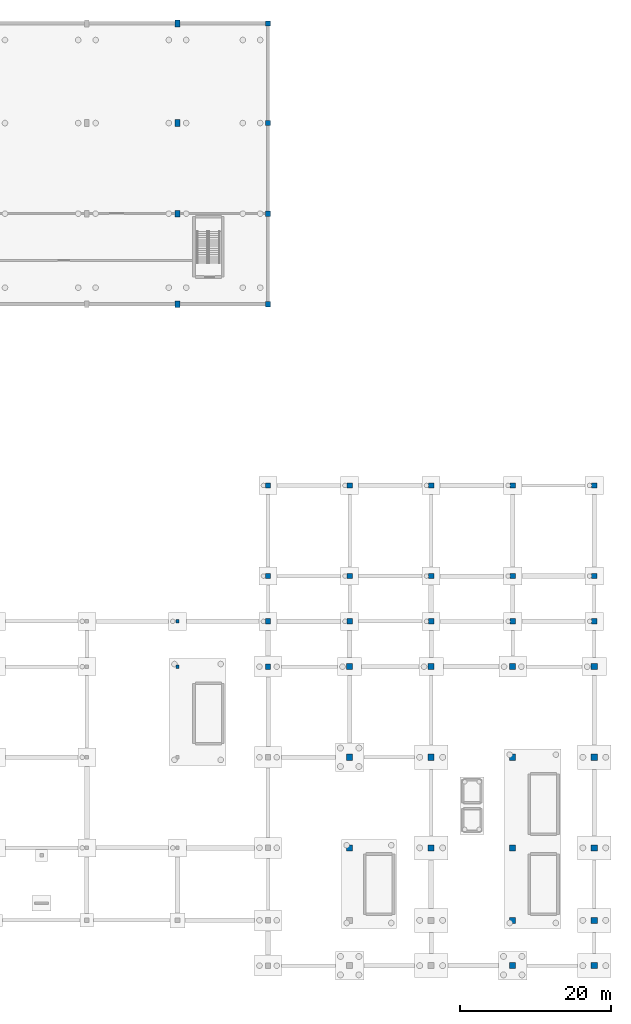
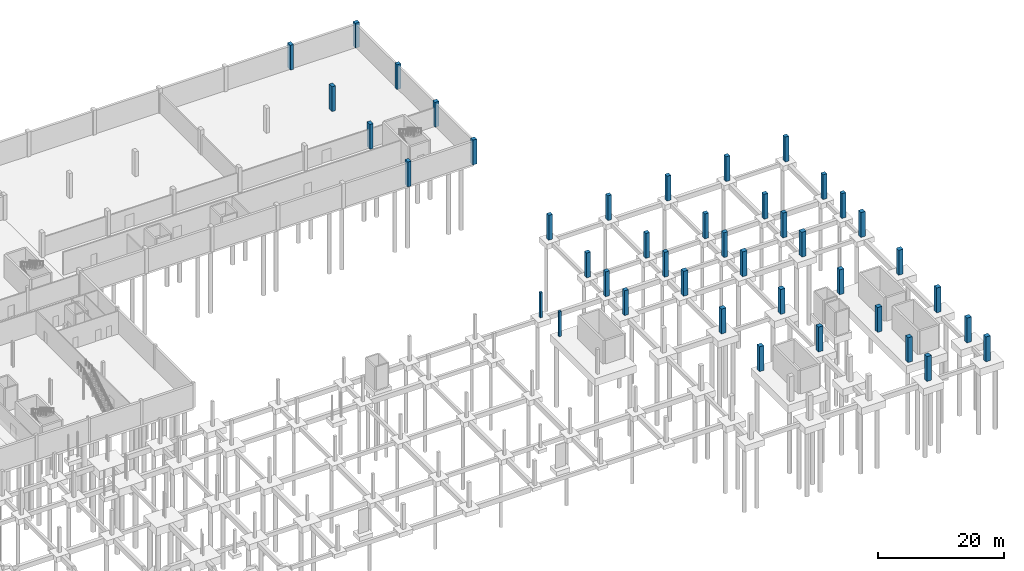
# One storey, part 19 of 31: 42 columns.
"""IFC4 building model written with IfcOpenShell, lengths in metres."""

from ifc_helpers import new_model, si_unit, direction, frame, origin, origin_2d, place, context, subcontext, project, spatial, rectangle, extrude, material, material_profile, profile_set, type_object, element, save


model = new_model("IFC4")

# Units and contexts
model_context = context("Model", 3, precision=1e-05, world=origin(), true_north=direction((0.0, 1.0)))
body_context = subcontext(model_context, "Body", "Model", "MODEL_VIEW")
ifc_project = project(units=[si_unit("LENGTHUNIT", "METRE"), si_unit("AREAUNIT", "SQUARE_METRE"), si_unit("VOLUMEUNIT", "CUBIC_METRE"), si_unit("PLANEANGLEUNIT", "RADIAN"), si_unit("MASSUNIT", "GRAM", prefix="KILO")], contexts=[model_context])

# Site, building, storey
site_placement = place(None, origin())
site = spatial("IfcSite", under=ifc_project, at=site_placement, CompositionType="ELEMENT")
building_placement = place(site_placement, origin())
building = spatial("IfcBuilding", under=site, at=building_placement, Name="Merenkruunu Market Hall", CompositionType="ELEMENT")
storey_placement = place(building_placement, frame((0.0, 0.0, -4.800048828125)))
storey = spatial("IfcBuildingStorey", under=building, at=storey_placement, Name="B1", CompositionType="ELEMENT", Elevation=-4.800048828125)

# Columns
ifc_material = material(Name="Concrete C35/45", Category="concrete")
ifc_material_profile_1 = material_profile(ifc_material, rectangle(XDim=0.800048828125, YDim=0.800048828125, at=origin_2d()), Name="RC 800x800")
ifc_profile_set_1 = profile_set([ifc_material_profile_1], Name="Concrete C35/45")
column_type_1 = type_object("IfcColumnType", Name="Structural Column C15", PredefinedType="COLUMN", material=ifc_profile_set_1)
for number, where, z_axis, x_axis, name in (
    (1, (159.60009765625, 15.60009765625, 0.0), (0.0, 0.0, 1.0), (1.0, 0.0, 0.0), "COL-B1-R-03"),
    (2, (159.60009765625, 27.60009765625, 0.0), (0.0, 0.0, 1.0), (1.0, 0.0, 0.0), "COL-B1-R-04"),
    (3, (159.60009765625, 39.60009765625, 0.0), (0.0, 0.0, 1.0), (1.0, 0.0, 0.0), "COL-B1-R-05"),
    (4, (170.39990234375, 15.60009765625, 0.0), (0.0, 0.0, 1.0), (1.0, 0.0, 0.0), "COL-B1-S-03"),
    (5, (170.39990234375, 27.60009765625, 0.0), (0.0, 0.0, 1.0), (1.0, 0.0, 0.0), "COL-B1-S-04"),
    (6, (170.39990234375, 39.60009765625, 0.0), (0.0, 0.0, 1.0), (1.0, 0.0, 0.0), "COL-B1-S-05"),
    (7, (181.199951171875, 0.0, 0.0), (0.0, 0.0, 1.0), (1.0, 0.0, 0.0), "COL-B1-T-01"),
    (8, (181.199951171875, 6.0, 0.0), (0.0, 0.0, 1.0), (1.0, 0.0, 0.0), "COL-B1-T-02"),
    (9, (181.199951171875, 15.60009765625, 0.0), (0.0, 0.0, 1.0), (1.0, 0.0, 0.0), "COL-B1-T-03"),
    (10, (181.199951171875, 27.60009765625, 0.0), (0.0, 0.0, 1.0), (1.0, 0.0, 0.0), "COL-B1-T-04"),
    (11, (181.199951171875, 39.60009765625, 0.0), (0.0, 0.0, 1.0), (1.0, 0.0, 0.0), "COL-B1-T-05"),
    (12, (192.0, 0.0, 0.0), (0.0, 0.0, 1.0), (1.0, 0.0, 0.0), "COL-B1-U-01"),
    (13, (192.0, 6.0, 0.0), (0.0, 0.0, 1.0), (1.0, 0.0, 0.0), "COL-B1-U-02"),
    (14, (192.0, 15.60009765625, 0.0), (0.0, 0.0, 1.0), (1.0, 0.0, 0.0), "COL-B1-U-03"),
    (15, (192.0, 27.60009765625, 0.0), (0.0, 0.0, 1.0), (1.0, 0.0, 0.0), "COL-B1-U-04"),
    (16, (192.0, 39.60009765625, 0.0), (0.0, 0.0, 1.0), (1.0, 0.0, 0.0), "COL-B1-U-05"),
):
    element("IfcColumn", number, at=place(storey_placement, frame(where, z_axis=z_axis, x_axis=x_axis)), inside=storey, type_object=column_type_1, Name=name, PredefinedType="COLUMN", context=body_context, shape_type="SweptSolid", body=[
        extrude(rectangle(XDim=0.800048828125, YDim=0.800048828125, at=origin_2d()), origin(), (0.0, 0.0, 1.0), 4.800048828125),
    ])
ifc_material_profile_2 = material_profile(ifc_material, rectangle(XDim=0.699951171875, YDim=0.699951171875, at=origin_2d()), Name="RC 700x700")
ifc_profile_set_2 = profile_set([ifc_material_profile_2], Name="Concrete C35/45")
column_type_2 = type_object("IfcColumnType", Name="Structural Column C16", PredefinedType="COLUMN", material=ifc_profile_set_2)
for number, where, z_axis, x_axis, name in (
    (17, (148.800048828125, 39.60009765625, 0.0), (0.0, 0.0, 1.0), (1.0, 0.0, 0.0), "COL-B1-Q-05"),
    (18, (148.800048828125, 45.60009765625, 0.0), (0.0, 0.0, 1.0), (1.0, 0.0, 0.0), "COL-B1-Q-06"),
    (19, (148.800048828125, 51.60009765625, 0.0), (0.0, 0.0, 1.0), (1.0, 0.0, 0.0), "COL-B1-Q-07"),
    (20, (148.800048828125, 63.60009765625, 0.0), (0.0, 0.0, 1.0), (1.0, 0.0, 0.0), "COL-B1-Q-08"),
    (21, (148.800048828125, 87.60009765625, 0.0), (0.0, 0.0, 1.0), (1.0, 0.0, 0.0), "COL-B1-Q-10"),
    (22, (148.800048828125, 99.60009765625, 0.0), (0.0, 0.0, 1.0), (1.0, 0.0, 0.0), "COL-B1-Q-11"),
    (23, (148.800048828125, 111.60009765625, 0.0), (0.0, 0.0, 1.0), (1.0, 0.0, 0.0), "COL-B1-Q-12"),
    (24, (148.800048828125, 124.800048828125, 0.0), (0.0, 0.0, 1.0), (1.0, 0.0, 0.0), "COL-B1-Q-13"),
    (25, (159.60009765625, 45.60009765625, 0.0), (0.0, 0.0, 1.0), (1.0, 0.0, 0.0), "COL-B1-R-06"),
    (26, (159.60009765625, 51.60009765625, 0.0), (0.0, 0.0, 1.0), (1.0, 0.0, 0.0), "COL-B1-R-07"),
    (27, (159.60009765625, 63.60009765625, 0.0), (0.0, 0.0, 1.0), (1.0, 0.0, 0.0), "COL-B1-R-08"),
    (28, (170.39990234375, 45.60009765625, 0.0), (0.0, 0.0, 1.0), (1.0, 0.0, 0.0), "COL-B1-S-06"),
    (29, (170.39990234375, 51.60009765625, 0.0), (0.0, 0.0, 1.0), (1.0, 0.0, 0.0), "COL-B1-S-07"),
    (30, (170.39990234375, 63.60009765625, 0.0), (0.0, 0.0, 1.0), (1.0, 0.0, 0.0), "COL-B1-S-08"),
    (31, (181.199951171875, 45.60009765625, 0.0), (0.0, 0.0, 1.0), (1.0, 0.0, 0.0), "COL-B1-T-06"),
    (32, (181.199951171875, 51.60009765625, 0.0), (0.0, 0.0, 1.0), (1.0, 0.0, 0.0), "COL-B1-T-07"),
    (33, (181.199951171875, 63.60009765625, 0.0), (0.0, 0.0, 1.0), (1.0, 0.0, 0.0), "COL-B1-T-08"),
    (34, (192.0, 45.60009765625, 0.0), (0.0, 0.0, 1.0), (1.0, 0.0, 0.0), "COL-B1-U-06"),
    (35, (192.0, 51.60009765625, 0.0), (0.0, 0.0, 1.0), (1.0, 0.0, 0.0), "COL-B1-U-07"),
    (36, (192.0, 63.60009765625, 0.0), (0.0, 0.0, 1.0), (1.0, 0.0, 0.0), "COL-B1-U-08"),
):
    element("IfcColumn", number, at=place(storey_placement, frame(where, z_axis=z_axis, x_axis=x_axis)), inside=storey, type_object=column_type_2, Name=name, PredefinedType="COLUMN", context=body_context, shape_type="SweptSolid", body=[
        extrude(rectangle(XDim=0.699951171875, YDim=0.699951171875, at=origin_2d()), origin(), (0.0, 0.0, 1.0), 4.800048828125),
    ])
ifc_material_profile_3 = material_profile(ifc_material, rectangle(XDim=0.449951171875, YDim=0.449951171875, at=origin_2d()), Name="RC 450x450")
ifc_profile_set_3 = profile_set([ifc_material_profile_3], Name="Concrete C35/45")
column_type_3 = type_object("IfcColumnType", Name="Structural Column C19", PredefinedType="COLUMN", material=ifc_profile_set_3)
for number, where, z_axis, x_axis, name in (
    (37, (136.800048828125, 39.60009765625, 0.0), (0.0, 0.0, 1.0), (1.0, 0.0, 0.0), "COL-B1-P-05"),
    (38, (136.800048828125, 45.60009765625, 0.0), (0.0, 0.0, 1.0), (1.0, 0.0, 0.0), "COL-B1-P-06"),
):
    element("IfcColumn", number, at=place(storey_placement, frame(where, z_axis=z_axis, x_axis=x_axis)), inside=storey, type_object=column_type_3, Name=name, PredefinedType="COLUMN", context=body_context, shape_type="SweptSolid", body=[
        extrude(rectangle(XDim=0.449951171875, YDim=0.449951171875, at=origin_2d()), origin(), (0.0, 0.0, 1.0), 4.800048828125),
    ])
ifc_material_profile_4 = material_profile(ifc_material, rectangle(XDim=0.60009765625, YDim=0.89990234375, at=origin_2d()), Name="RC 600x900")
ifc_profile_set_4 = profile_set([ifc_material_profile_4], Name="Concrete C35/45")
column_type_4 = type_object("IfcColumnType", Name="Structural Column C20", PredefinedType="COLUMN", material=ifc_profile_set_4)
for number, where, z_axis, x_axis, name in (
    (39, (136.800048828125, 87.60009765625, 0.0), (0.0, 0.0, 1.0), (1.0, 0.0, 0.0), "COL-B1-P-10"),
    (40, (136.800048828125, 99.60009765625, 0.0), (0.0, 0.0, 1.0), (1.0, 0.0, 0.0), "COL-B1-P-11"),
    (41, (136.800048828125, 111.60009765625, 0.0), (0.0, 0.0, 1.0), (1.0, 0.0, 0.0), "COL-B1-P-12"),
    (42, (136.800048828125, 124.800048828125, 0.0), (0.0, 0.0, 1.0), (1.0, 0.0, 0.0), "COL-B1-P-13"),
):
    element("IfcColumn", number, at=place(storey_placement, frame(where, z_axis=z_axis, x_axis=x_axis)), inside=storey, type_object=column_type_4, Name=name, PredefinedType="COLUMN", context=body_context, shape_type="SweptSolid", body=[
        extrude(rectangle(XDim=0.60009765625, YDim=0.89990234375, at=origin_2d()), origin(), (0.0, 0.0, 1.0), 4.800048828125),
    ])

save(model, "model.ifc")
